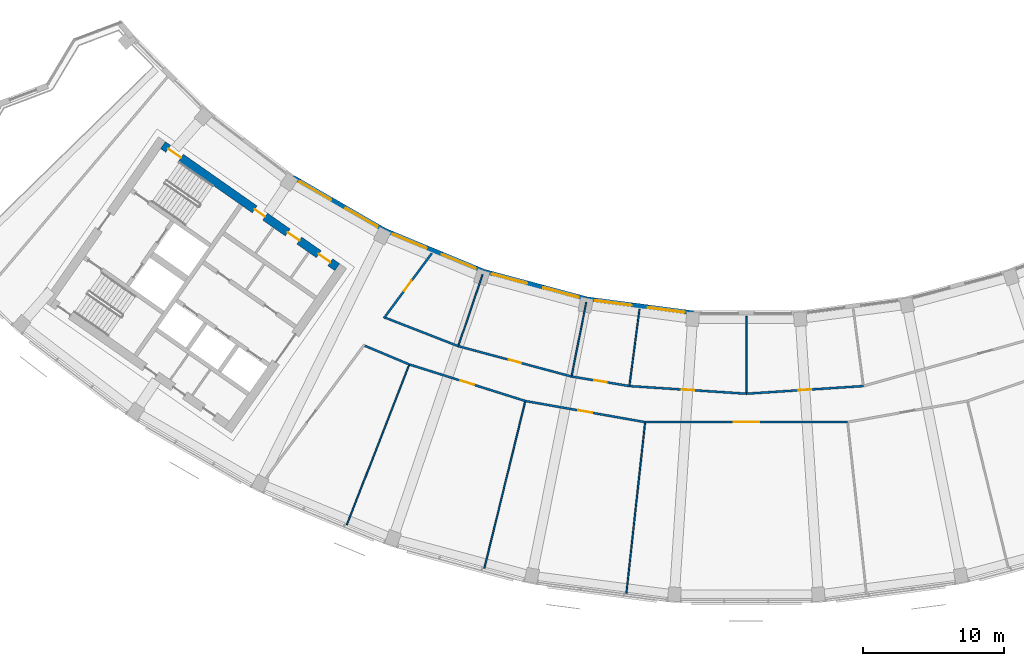
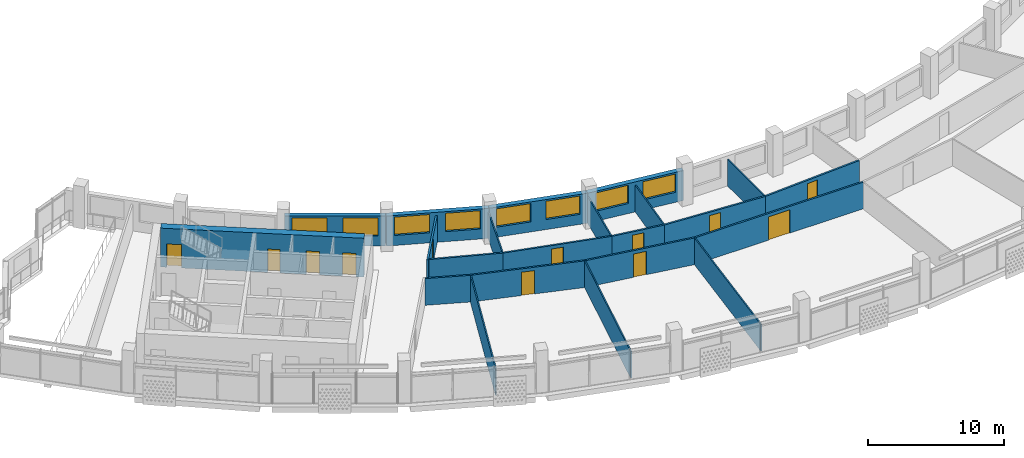
# One storey, part 4 of 29: 22 walls, 12 doors, 8 windows, 20 openings.
"""IFC4 building model written with IfcOpenShell, lengths in metres."""

from ifc_helpers import new_model, si_unit, direction, frame, frame_2d, origin, place, context, subcontext, project, spatial, rectangle, extrude, material, layer, layer_set, type_object, element, fill, save


model = new_model("IFC4")

# Units and contexts
model_context = context("Model", 3, precision=1e-05, world=origin(), true_north=direction((0.0, 1.0)))
body_context = subcontext(model_context, "Body", "Model", "MODEL_VIEW")
ifc_project = project(units=[si_unit("LENGTHUNIT", "METRE"), si_unit("AREAUNIT", "SQUARE_METRE"), si_unit("VOLUMEUNIT", "CUBIC_METRE"), si_unit("PLANEANGLEUNIT", "RADIAN"), si_unit("MASSUNIT", "GRAM", prefix="KILO")], contexts=[model_context])

# Site, building, storey
site_placement = place(None, origin())
site = spatial("IfcSite", under=ifc_project, at=site_placement, CompositionType="ELEMENT")
building_placement = place(site_placement, origin())
building = spatial("IfcBuilding", under=site, at=building_placement, Name="Qamariyya Broadcast Tower", CompositionType="ELEMENT")
storey_placement = place(building_placement, frame((0.0, 0.0, 261.89990234375)))
storey = spatial("IfcBuildingStorey", under=building, at=storey_placement, Name="L63", CompositionType="ELEMENT", Elevation=261.89990234375)

# Wall, openings, doors
ifc_material_1 = material(Name="Concrete C60/75", Category="concrete")
ifc_layer_1 = layer(ifc_material_1, 0.60009765625)
ifc_layer_set_1 = layer_set([ifc_layer_1], Name="Core wall 600 mm Concrete C60/75")
wall_type_1 = type_object("IfcWallType", Name="Core wall 600 mm Concrete C60/75", PredefinedType="SHEAR", material=ifc_layer_set_1)
wall_1_placement = place(storey_placement, frame((-28.940673828125, -54.447021484375, 0.0), z_axis=(0.0, 0.0, 1.0), x_axis=(-0.819153391756, 0.573574511963, 0.0)))
wall_1 = element("IfcWall", 1, at=wall_1_placement, inside=storey, type_object=wall_type_1, Name="k-W-L63-WI", PredefinedType="SHEAR", context=body_context, shape_type="SweptSolid", body=[
    extrude(rectangle(XDim=15.04541015625, YDim=0.60009765625, at=frame_2d((7.522705078125, 0.0))), origin(), (0.0, 0.0, 1.0), 3.5),
])
opening_1_placement = place(wall_1_placement, frame((0.60009765625, 0.0, 0.0)))
opening_1 = element("IfcOpeningElement", 2, at=opening_1_placement, cuts=wall_1, Name="Opening KD7-W1", PredefinedType="OPENING", context=body_context, shape_type="SweptSolid", body=[
    extrude(rectangle(XDim=1.0, YDim=2.10009765625, at=frame_2d((0.5, 1.050048828125))), frame((0.0, 0.31005859375, 0.0), z_axis=(0.0, -1.0, 0.0), x_axis=(1.0, 0.0, 0.0)), (0.0, 0.0, 1.0), 0.6201171875),
])
opening_2_placement = place(wall_1_placement, frame((3.27490234375, 0.0, 0.0)))
opening_2 = element("IfcOpeningElement", 3, at=opening_2_placement, cuts=wall_1, Name="Opening KD6-W3", PredefinedType="OPENING", context=body_context, shape_type="SweptSolid", body=[
    extrude(rectangle(XDim=1.0, YDim=2.10009765625, at=frame_2d((0.5, 1.050048828125))), frame((0.0, 0.31005859375, 0.0), z_axis=(0.0, -1.0, 0.0), x_axis=(1.0, 0.0, 0.0)), (0.0, 0.0, 1.0), 0.6201171875),
])
opening_3_placement = place(wall_1_placement, frame((6.22509765625, 0.0, 0.0)))
opening_3 = element("IfcOpeningElement", 4, at=opening_3_placement, cuts=wall_1, Name="Opening KD5-W1", PredefinedType="OPENING", context=body_context, shape_type="SweptSolid", body=[
    extrude(rectangle(XDim=0.89990234375, YDim=2.10009765625, at=frame_2d((0.449951171875, 1.050048828125))), frame((0.0, 0.31005859375, 0.0), z_axis=(0.0, -1.0, 0.0), x_axis=(1.0, 0.0, 0.0)), (0.0, 0.0, 1.0), 0.6201171875),
])
opening_4_placement = place(wall_1_placement, frame((13.495361328125, 0.0, 0.0)))
opening_4 = element("IfcOpeningElement", 5, at=opening_4_placement, cuts=wall_1, Name="Opening KD1-W1", PredefinedType="OPENING", context=body_context, shape_type="SweptSolid", body=[
    extrude(rectangle(XDim=1.10009765625, YDim=2.10009765625, at=frame_2d((0.550048828125, 1.050048828125))), frame((0.0, 0.31005859375, 0.0), z_axis=(0.0, -1.0, 0.0), x_axis=(1.0, 0.0, 0.0)), (0.0, 0.0, 1.0), 0.6201171875),
])
ifc_material_2 = material(Name="Steel fire-resisting door leaf", Category="steel")
door_type_1 = type_object("IfcDoorType", Name="Accessible toilet door KD7", OperationType="SINGLE_SWING_LEFT", PredefinedType="DOOR", material=ifc_material_2)
door_1_placement = place(opening_1_placement, origin())
door_1 = element("IfcDoor", 6, at=door_1_placement, inside=storey, type_object=door_type_1, Name="k-W-L63-WI-D7", OperationType="SINGLE_SWING_RIGHT", OverallHeight=2.10009765625, OverallWidth=1.0, PredefinedType="DOOR", context=body_context, shape_type="SweptSolid", body=[
    extrude(rectangle(XDim=1.0, YDim=2.10009765625, at=frame_2d((0.5, 1.050048828125))), frame((0.0, 0.02490234375, 0.0), z_axis=(0.0, -1.0, 0.0), x_axis=(1.0, 0.0, 0.0)), (0.0, 0.0, 1.0), 0.050048828125),
])
fill(opening_1, door_1)
door_type_2 = type_object("IfcDoorType", Name="Core room door KD6", OperationType="SINGLE_SWING_LEFT", PredefinedType="DOOR", material=ifc_material_2)
door_2_placement = place(opening_2_placement, origin())
door_2 = element("IfcDoor", 7, at=door_2_placement, inside=storey, type_object=door_type_2, Name="k-W-L63-WI-D8", OperationType="SINGLE_SWING_LEFT", OverallHeight=2.10009765625, OverallWidth=1.0, PredefinedType="DOOR", context=body_context, shape_type="SweptSolid", body=[
    extrude(rectangle(XDim=1.0, YDim=2.10009765625, at=frame_2d((0.5, 1.050048828125))), frame((0.0, 0.02490234375, 0.0), z_axis=(0.0, -1.0, 0.0), x_axis=(1.0, 0.0, 0.0)), (0.0, 0.0, 1.0), 0.050048828125),
])
fill(opening_2, door_2)
door_type_3 = type_object("IfcDoorType", Name="Stair door KD1", OperationType="SINGLE_SWING_LEFT", PredefinedType="DOOR", material=ifc_material_2)
door_3_placement = place(opening_4_placement, origin())
door_3 = element("IfcDoor", 8, at=door_3_placement, inside=storey, type_object=door_type_3, Name="k-W-L63-WI-D16", OperationType="SINGLE_SWING_RIGHT", OverallHeight=2.10009765625, OverallWidth=1.10009765625, PredefinedType="DOOR", context=body_context, shape_type="SweptSolid", body=[
    extrude(rectangle(XDim=1.10009765625, YDim=2.10009765625, at=frame_2d((0.550048828125, 1.050048828125))), frame((0.0, 0.02490234375, 0.0), z_axis=(0.0, -1.0, 0.0), x_axis=(1.0, 0.0, 0.0)), (0.0, 0.0, 1.0), 0.050048828125),
])
fill(opening_4, door_3)
door_type_4 = type_object("IfcDoorType", Name="Toilet door KD5", OperationType="SINGLE_SWING_LEFT", PredefinedType="DOOR", material=ifc_material_2)
door_4_placement = place(opening_3_placement, origin())
door_4 = element("IfcDoor", 9, at=door_4_placement, inside=storey, type_object=door_type_4, Name="k-W-L63-WI-D9", OperationType="SINGLE_SWING_RIGHT", OverallHeight=2.10009765625, OverallWidth=0.89990234375, PredefinedType="DOOR", context=body_context, shape_type="SweptSolid", body=[
    extrude(rectangle(XDim=0.89990234375, YDim=2.10009765625, at=frame_2d((0.449951171875, 1.050048828125))), frame((0.0, 0.02490234375, 0.0), z_axis=(0.0, -1.0, 0.0), x_axis=(1.0, 0.0, 0.0)), (0.0, 0.0, 1.0), 0.050048828125),
])
fill(opening_3, door_4)

# Walls
ifc_material_3 = material(Name="Gypsum board partition")
ifc_layer_2 = layer(ifc_material_3, 0.14990234375)
ifc_layer_set_2 = layer_set([ifc_layer_2], Name="Corridor partition 150 EI 60")
wall_type_2 = type_object("IfcWallType", Name="Corridor partition 150 EI 60", PredefinedType="PARTITIONING", material=ifc_layer_set_2)
wall_2_placement = place(storey_placement, frame((-26.98828125, -60.008544921875, 0.0), z_axis=(0.0, 0.0, 1.0), x_axis=(0.922124291828, -0.386893771494, 0.0)))
element("IfcWall", 10, at=wall_2_placement, inside=storey, type_object=wall_type_2, Name="Partition L63-004", PredefinedType="PARTITIONING", context=body_context, shape_type="SweptSolid", body=[
    extrude(rectangle(XDim=3.406982421875, YDim=0.14990234375, at=frame_2d((1.70361328125, 0.0))), origin(), (0.0, 0.0, 1.0), 2.400146484375),
])
wall_3_placement = place(storey_placement, frame((-25.5283203125, -58.02978515625, 0.0), z_axis=(0.0, 0.0, 1.0), x_axis=(0.931811353016, -0.362942974019, 0.0)))
element("IfcWall", 11, at=wall_3_placement, inside=storey, type_object=wall_type_2, Name="Partition L63-005", PredefinedType="PARTITIONING", context=body_context, shape_type="SweptSolid", body=[
    extrude(rectangle(XDim=5.52587890625, YDim=0.14990234375, at=frame_2d((2.762939453125, 0.0))), origin(), (0.0, 0.0, 1.0), 2.400146484375),
])

# Wall, opening, door
wall_4_placement = place(storey_placement, frame((-15.637939453125, -63.914794921875, 0.0), z_axis=(0.0, 0.0, 1.0), x_axis=(-0.953719319389, 0.300698287031, 0.0)))
wall_4 = element("IfcWall", 12, at=wall_4_placement, inside=storey, type_object=wall_type_2, Name="Partition L63-006", PredefinedType="PARTITIONING", context=body_context, shape_type="SweptSolid", body=[
    extrude(rectangle(XDim=8.607177734375, YDim=0.14990234375, at=frame_2d((4.3037109375, 0.0))), origin(), (0.0, 0.0, 1.0), 2.400146484375),
])
opening_5_placement = place(wall_4_placement, frame((3.803466796875, 0.0, 0.0)))
opening_5 = element("IfcOpeningElement", 13, at=opening_5_placement, cuts=wall_4, Name="Opening L63-D02", PredefinedType="OPENING", context=body_context, shape_type="SweptSolid", body=[
    extrude(rectangle(XDim=1.0, YDim=2.10009765625, at=frame_2d((0.5, 1.050048828125))), frame((0.0, 0.0849609375, 0.0), z_axis=(0.0, -1.0, 0.0), x_axis=(1.0, 0.0, 0.0)), (0.0, 0.0, 1.0), 0.169921875),
])
ifc_material_4 = material(Name="Timber fire door leaf", Category="wood")
door_type_5 = type_object("IfcDoorType", Name="Fire door 1000 x 2100 FD60", OperationType="NOTDEFINED", PredefinedType="DOOR", material=ifc_material_4)
door_5_placement = place(opening_5_placement, origin())
door_5 = element("IfcDoor", 14, at=door_5_placement, inside=storey, type_object=door_type_5, Name="Door L63-D02", OperationType="SINGLE_SWING_RIGHT", OverallHeight=2.10009765625, OverallWidth=1.0, PredefinedType="DOOR", context=body_context, shape_type="SweptSolid", body=[
    extrude(rectangle(XDim=1.0, YDim=2.10009765625, at=frame_2d((0.5, 1.050048828125))), frame((0.0, 0.02490234375, 0.0), z_axis=(0.0, -1.0, 0.0), x_axis=(1.0, 0.0, 0.0)), (0.0, 0.0, 1.0), 0.050048828125),
])
fill(opening_5, door_5)

wall_5_placement = place(storey_placement, frame((-22.251953125, -53.469482421875, 0.0), z_axis=(0.0, 0.0, 1.0), x_axis=(-0.593872728047, -0.804558999006, 0.0)))
wall_5 = element("IfcWall", 15, at=wall_5_placement, inside=storey, type_object=wall_type_2, Name="Partition L63-007", PredefinedType="PARTITIONING", context=body_context, shape_type="SweptSolid", body=[
    extrude(rectangle(XDim=5.709228515625, YDim=0.14990234375, at=frame_2d((2.8544921875, 0.0))), origin(), (0.0, 0.0, 1.0), 2.400146484375),
])
opening_6_placement = place(wall_5_placement, frame((2.404541015625, 0.0, 0.0)))
opening_6 = element("IfcOpeningElement", 16, at=opening_6_placement, cuts=wall_5, Name="Opening L63-D07", PredefinedType="OPENING", context=body_context, shape_type="SweptSolid", body=[
    extrude(rectangle(XDim=0.89990234375, YDim=2.10009765625, at=frame_2d((0.449951171875, 1.050048828125))), frame((0.0, 0.0849609375, 0.0), z_axis=(0.0, -1.0, 0.0), x_axis=(1.0, 0.0, 0.0)), (0.0, 0.0, 1.0), 0.169921875),
])
door_type_6 = type_object("IfcDoorType", Name="Fire door 900 x 2100 FD60", OperationType="NOTDEFINED", PredefinedType="DOOR", material=ifc_material_4)
door_6_placement = place(opening_6_placement, origin())
door_6 = element("IfcDoor", 17, at=door_6_placement, inside=storey, type_object=door_type_6, Name="Door L63-D07", OperationType="SINGLE_SWING_RIGHT", OverallHeight=2.10009765625, OverallWidth=0.89990234375, PredefinedType="DOOR", context=body_context, shape_type="SweptSolid", body=[
    extrude(rectangle(XDim=0.89990234375, YDim=2.10009765625, at=frame_2d((0.449951171875, 1.050048828125))), frame((0.0, 0.02490234375, 0.0), z_axis=(0.0, -1.0, 0.0), x_axis=(1.0, 0.0, 0.0)), (0.0, 0.0, 1.0), 0.050048828125),
])
fill(opening_6, door_6)

wall_6_placement = place(storey_placement, frame((-20.379150390625, -60.035400390625, 0.0), z_axis=(0.0, 0.0, 1.0), x_axis=(0.965923478141, -0.258827808351, 0.0)))
wall_6 = element("IfcWall", 18, at=wall_6_placement, inside=storey, type_object=wall_type_2, Name="Partition L63-008", PredefinedType="PARTITIONING", context=body_context, shape_type="SweptSolid", body=[
    extrude(rectangle(XDim=8.293212890625, YDim=0.14990234375, at=frame_2d((4.146484375, 0.0))), origin(), (0.0, 0.0, 1.0), 2.400146484375),
])
opening_7_placement = place(wall_6_placement, frame((3.696533203125, 0.0, 0.0)))
opening_7 = element("IfcOpeningElement", 19, at=opening_7_placement, cuts=wall_6, Name="Opening L63-D08", PredefinedType="OPENING", context=body_context, shape_type="SweptSolid", body=[
    extrude(rectangle(XDim=0.89990234375, YDim=2.10009765625, at=frame_2d((0.449951171875, 1.050048828125))), frame((0.0, 0.0849609375, 0.0), z_axis=(0.0, -1.0, 0.0), x_axis=(1.0, 0.0, 0.0)), (0.0, 0.0, 1.0), 0.169921875),
])
door_7_placement = place(opening_7_placement, origin())
door_7 = element("IfcDoor", 20, at=door_7_placement, inside=storey, type_object=door_type_6, Name="Door L63-D08", OperationType="SINGLE_SWING_RIGHT", OverallHeight=2.10009765625, OverallWidth=0.89990234375, PredefinedType="DOOR", context=body_context, shape_type="SweptSolid", body=[
    extrude(rectangle(XDim=0.89990234375, YDim=2.10009765625, at=frame_2d((0.449951171875, 1.050048828125))), frame((0.0, 0.02490234375, 0.0), z_axis=(0.0, -1.0, 0.0), x_axis=(1.0, 0.0, 0.0)), (0.0, 0.0, 1.0), 0.050048828125),
])
fill(opening_7, door_7)

wall_7_placement = place(storey_placement, frame((-7.16162109375, -65.4091796875, 0.0), z_axis=(0.0, 0.0, 1.0), x_axis=(-0.984812101115, 0.173623516545, 0.0)))
wall_7 = element("IfcWall", 21, at=wall_7_placement, inside=storey, type_object=wall_type_2, Name="Partition L63-011", PredefinedType="PARTITIONING", context=body_context, shape_type="SweptSolid", body=[
    extrude(rectangle(XDim=8.60693359375, YDim=0.14990234375, at=frame_2d((4.303466796875, 0.0))), origin(), (0.0, 0.0, 1.0), 2.400146484375),
])
opening_8_placement = place(wall_7_placement, frame((3.803466796875, 0.0, 0.0)))
opening_8 = element("IfcOpeningElement", 22, at=opening_8_placement, cuts=wall_7, Name="Opening L63-D03", PredefinedType="OPENING", context=body_context, shape_type="SweptSolid", body=[
    extrude(rectangle(XDim=1.0, YDim=2.10009765625, at=frame_2d((0.5, 1.050048828125))), frame((0.0, 0.0849609375, 0.0), z_axis=(0.0, -1.0, 0.0), x_axis=(1.0, 0.0, 0.0)), (0.0, 0.0, 1.0), 0.169921875),
])
door_8_placement = place(opening_8_placement, origin())
door_8 = element("IfcDoor", 23, at=door_8_placement, inside=storey, type_object=door_type_5, Name="Door L63-D03", OperationType="SINGLE_SWING_RIGHT", OverallHeight=2.10009765625, OverallWidth=1.0, PredefinedType="DOOR", context=body_context, shape_type="SweptSolid", body=[
    extrude(rectangle(XDim=1.0, YDim=2.10009765625, at=frame_2d((0.5, 1.050048828125))), frame((0.0, 0.02490234375, 0.0), z_axis=(0.0, -1.0, 0.0), x_axis=(1.0, 0.0, 0.0)), (0.0, 0.0, 1.0), 0.050048828125),
])
fill(opening_8, door_8)

wall_8_placement = place(storey_placement, frame((-12.36865234375, -62.181884765625, 0.0), z_axis=(0.0, 0.0, 1.0), x_axis=(0.986644067936, -0.162891016345, 0.0)))
wall_8 = element("IfcWall", 24, at=wall_8_placement, inside=storey, type_object=wall_type_2, Name="Partition L63-012", PredefinedType="PARTITIONING", context=body_context, shape_type="SweptSolid", body=[
    extrude(rectangle(XDim=4.148681640625, YDim=0.14990234375, at=frame_2d((2.07421875, 0.0))), origin(), (0.0, 0.0, 1.0), 2.400146484375),
])
opening_9_placement = place(wall_8_placement, frame((1.62451171875, 0.0, 0.0)))
opening_9 = element("IfcOpeningElement", 25, at=opening_9_placement, cuts=wall_8, Name="Opening L63-D09", PredefinedType="OPENING", context=body_context, shape_type="SweptSolid", body=[
    extrude(rectangle(XDim=0.89990234375, YDim=2.10009765625, at=frame_2d((0.449951171875, 1.050048828125))), frame((0.0, 0.0849609375, 0.0), z_axis=(0.0, -1.0, 0.0), x_axis=(1.0, 0.0, 0.0)), (0.0, 0.0, 1.0), 0.169921875),
])
door_9_placement = place(opening_9_placement, origin())
door_9 = element("IfcDoor", 26, at=door_9_placement, inside=storey, type_object=door_type_6, Name="Door L63-D09", OperationType="SINGLE_SWING_RIGHT", OverallHeight=2.10009765625, OverallWidth=0.89990234375, PredefinedType="DOOR", context=body_context, shape_type="SweptSolid", body=[
    extrude(rectangle(XDim=0.89990234375, YDim=2.10009765625, at=frame_2d((0.449951171875, 1.050048828125))), frame((0.0, 0.02490234375, 0.0), z_axis=(0.0, -1.0, 0.0), x_axis=(1.0, 0.0, 0.0)), (0.0, 0.0, 1.0), 0.050048828125),
])
fill(opening_9, door_9)

wall_9_placement = place(storey_placement, frame((-8.275390625, -62.857666015625, 0.0), z_axis=(0.0, 0.0, 1.0), x_axis=(0.997860193426, -0.065383747038, 0.0)))
wall_9 = element("IfcWall", 27, at=wall_9_placement, inside=storey, type_object=wall_type_2, Name="Partition L63-015", PredefinedType="PARTITIONING", context=body_context, shape_type="SweptSolid", body=[
    extrude(rectangle(XDim=8.293212890625, YDim=0.14990234375, at=frame_2d((4.146484375, 0.0))), origin(), (0.0, 0.0, 1.0), 2.400146484375),
])
opening_10_placement = place(wall_9_placement, frame((3.696533203125, 0.0, 0.0)))
opening_10 = element("IfcOpeningElement", 28, at=opening_10_placement, cuts=wall_9, Name="Opening L63-D10", PredefinedType="OPENING", context=body_context, shape_type="SweptSolid", body=[
    extrude(rectangle(XDim=0.89990234375, YDim=2.10009765625, at=frame_2d((0.449951171875, 1.050048828125))), frame((0.0, 0.0849609375, 0.0), z_axis=(0.0, -1.0, 0.0), x_axis=(1.0, 0.0, 0.0)), (0.0, 0.0, 1.0), 0.169921875),
])
door_10_placement = place(opening_10_placement, origin())
door_10 = element("IfcDoor", 29, at=door_10_placement, inside=storey, type_object=door_type_6, Name="Door L63-D10", OperationType="SINGLE_SWING_RIGHT", OverallHeight=2.10009765625, OverallWidth=0.89990234375, PredefinedType="DOOR", context=body_context, shape_type="SweptSolid", body=[
    extrude(rectangle(XDim=0.89990234375, YDim=2.10009765625, at=frame_2d((0.449951171875, 1.050048828125))), frame((0.0, 0.02490234375, 0.0), z_axis=(0.0, -1.0, 0.0), x_axis=(1.0, 0.0, 0.0)), (0.0, 0.0, 1.0), 0.050048828125),
])
fill(opening_10, door_10)

wall_10_placement = place(storey_placement, frame((7.16162109375, -65.4091796875, 0.0), z_axis=(0.0, 0.0, 1.0), x_axis=(-1.0, 0.0, 0.0)))
wall_10 = element("IfcWall", 30, at=wall_10_placement, inside=storey, type_object=wall_type_2, Name="Partition L63-017", PredefinedType="PARTITIONING", context=body_context, shape_type="SweptSolid", body=[
    extrude(rectangle(XDim=14.3232421875, YDim=0.14990234375, at=frame_2d((7.16162109375, 0.0))), origin(), (0.0, 0.0, 1.0), 2.400146484375),
])
opening_11_placement = place(wall_10_placement, frame((6.26171875, 0.0, 0.0)))
opening_11 = element("IfcOpeningElement", 31, at=opening_11_placement, cuts=wall_10, Name="Opening L63-D04", PredefinedType="OPENING", context=body_context, shape_type="SweptSolid", body=[
    extrude(rectangle(XDim=1.800048828125, YDim=2.10009765625, at=frame_2d((0.89990234375, 1.050048828125))), frame((0.0, 0.0849609375, 0.0), z_axis=(0.0, -1.0, 0.0), x_axis=(1.0, 0.0, 0.0)), (0.0, 0.0, 1.0), 0.169921875),
])
door_type_7 = type_object("IfcDoorType", Name="Double fire door 1800 x 2100 FD60", OperationType="NOTDEFINED", PredefinedType="DOOR", material=ifc_material_4)
door_11_placement = place(opening_11_placement, origin())
door_11 = element("IfcDoor", 32, at=door_11_placement, inside=storey, type_object=door_type_7, Name="Door L63-D04", OperationType="DOUBLE_DOOR_SINGLE_SWING", OverallHeight=2.10009765625, OverallWidth=1.800048828125, PredefinedType="DOOR", context=body_context, shape_type="SweptSolid", body=[
    extrude(rectangle(XDim=1.800048828125, YDim=2.10009765625, at=frame_2d((0.89990234375, 1.050048828125))), frame((0.0, 0.02490234375, 0.0), z_axis=(0.0, -1.0, 0.0), x_axis=(1.0, 0.0, 0.0)), (0.0, 0.0, 1.0), 0.050048828125),
])
fill(opening_11, door_11)

wall_11_placement = place(storey_placement, frame((0.0, -63.39990234375, 0.0), z_axis=(0.0, 0.0, 1.0), x_axis=(0.997860193426, 0.065383747038, 0.0)))
wall_11 = element("IfcWall", 33, at=wall_11_placement, inside=storey, type_object=wall_type_2, Name="Partition L63-018", PredefinedType="PARTITIONING", context=body_context, shape_type="SweptSolid", body=[
    extrude(rectangle(XDim=8.293212890625, YDim=0.14990234375, at=frame_2d((4.146484375, 0.0))), origin(), (0.0, 0.0, 1.0), 2.400146484375),
])
opening_12_placement = place(wall_11_placement, frame((3.696533203125, 0.0, 0.0)))
opening_12 = element("IfcOpeningElement", 34, at=opening_12_placement, cuts=wall_11, Name="Opening L63-D11", PredefinedType="OPENING", context=body_context, shape_type="SweptSolid", body=[
    extrude(rectangle(XDim=0.89990234375, YDim=2.10009765625, at=frame_2d((0.449951171875, 1.050048828125))), frame((0.0, 0.0849609375, 0.0), z_axis=(0.0, -1.0, 0.0), x_axis=(1.0, 0.0, 0.0)), (0.0, 0.0, 1.0), 0.169921875),
])
door_12_placement = place(opening_12_placement, origin())
door_12 = element("IfcDoor", 35, at=door_12_placement, inside=storey, type_object=door_type_6, Name="Door L63-D11", OperationType="SINGLE_SWING_RIGHT", OverallHeight=2.10009765625, OverallWidth=0.89990234375, PredefinedType="DOOR", context=body_context, shape_type="SweptSolid", body=[
    extrude(rectangle(XDim=0.89990234375, YDim=2.10009765625, at=frame_2d((0.449951171875, 1.050048828125))), frame((0.0, 0.02490234375, 0.0), z_axis=(0.0, -1.0, 0.0), x_axis=(1.0, 0.0, 0.0)), (0.0, 0.0, 1.0), 0.050048828125),
])
fill(opening_12, door_12)

# Walls
ifc_layer_3 = layer(ifc_material_3, 0.10009765625)
ifc_layer_set_3 = layer_set([ifc_layer_3], Name="Partition 100")
wall_type_3 = type_object("IfcWallType", Name="Partition 100", PredefinedType="PARTITIONING", material=ifc_layer_set_3)
wall_12_placement = place(storey_placement, frame((-28.2685546875, -72.6982421875, 0.0), z_axis=(0.0, 0.0, 1.0), x_axis=(0.362410311337, 0.932018651228, 0.0)))
element("IfcWall", 36, at=wall_12_placement, inside=storey, type_object=wall_type_3, Name="Partition L63-002", PredefinedType="PARTITIONING", context=body_context, shape_type="SweptSolid", body=[
    extrude(rectangle(XDim=12.125732421875, YDim=0.10009765625, at=frame_2d((6.06298828125, 0.0))), origin(), (0.0, 0.0, 1.0), 2.400146484375),
])
wall_13_placement = place(storey_placement, frame((-18.53759765625, -75.76611328125, 0.0), z_axis=(0.0, 0.0, 1.0), x_axis=(0.237657846319, 0.971348932198, 0.0)))
element("IfcWall", 37, at=wall_13_placement, inside=storey, type_object=wall_type_3, Name="Partition L63-009", PredefinedType="PARTITIONING", context=body_context, shape_type="SweptSolid", body=[
    extrude(rectangle(XDim=12.1259765625, YDim=0.10009765625, at=frame_2d((6.06298828125, 0.0))), origin(), (0.0, 0.0, 1.0), 2.400146484375),
])
wall_14_placement = place(storey_placement, frame((-18.65966796875, -54.96923828125, 0.0), z_axis=(0.0, 0.0, 1.0), x_axis=(-0.321429748592, -0.946933427818, 0.0)))
element("IfcWall", 38, at=wall_14_placement, inside=storey, type_object=wall_type_3, Name="Partition L63-010", PredefinedType="PARTITIONING", context=body_context, shape_type="SweptSolid", body=[
    extrude(rectangle(XDim=5.275146484375, YDim=0.10009765625, at=frame_2d((2.6376953125, 0.0))), origin(), (0.0, 0.0, 1.0), 2.400146484375),
])
wall_15_placement = place(storey_placement, frame((-11.324951171875, -56.9345703125, 0.0), z_axis=(0.0, 0.0, 1.0), x_axis=(-0.195083555743, -0.980786626274, 0.0)))
element("IfcWall", 39, at=wall_15_placement, inside=storey, type_object=wall_type_3, Name="Partition L63-013", PredefinedType="PARTITIONING", context=body_context, shape_type="SweptSolid", body=[
    extrude(rectangle(XDim=5.27490234375, YDim=0.10009765625, at=frame_2d((2.637451171875, 0.0))), origin(), (0.0, 0.0, 1.0), 2.400146484375),
])
wall_16_placement = place(storey_placement, frame((-8.489501953125, -77.53759765625, 0.0), z_axis=(0.0, 0.0, 1.0), x_axis=(0.108842544862, 0.994059002488, 0.0)))
element("IfcWall", 40, at=wall_16_placement, inside=storey, type_object=wall_type_3, Name="Partition L63-014", PredefinedType="PARTITIONING", context=body_context, shape_type="SweptSolid", body=[
    extrude(rectangle(XDim=12.1259765625, YDim=0.10009765625, at=frame_2d((6.06298828125, 0.0))), origin(), (0.0, 0.0, 1.0), 2.400146484375),
])
for number, where, z_axis, x_axis, name in (
    (41, (-7.56103515625, -57.430908203125, 0.0), (0.0, 0.0, 1.0), (-0.130516514475, -0.991446135425, 0.0), "Partition L63-016"),
    (42, (0.0, -57.926513671875, 0.0), (0.0, 0.0, 1.0), (0.0, -1.0, 0.0), "Partition L63-019"),
):
    element("IfcWall", number, at=place(storey_placement, frame(where, z_axis=z_axis, x_axis=x_axis)), inside=storey, type_object=wall_type_3, Name=name, PredefinedType="PARTITIONING", context=body_context, shape_type="SweptSolid", body=[
        extrude(rectangle(XDim=5.3984375, YDim=0.10009765625, at=frame_2d((2.69921875, 0.0))), origin(), (0.0, 0.0, 1.0), 2.400146484375),
    ])

# Wall, openings, windows
ifc_material_5 = material(Name="Terracotta", Category="masonry")
ifc_layer_4 = layer(ifc_material_5, 0.39990234375)
ifc_layer_set_4 = layer_set([ifc_layer_4], Name="Terracotta clad wall 400")
wall_type_4 = type_object("IfcWallType", Name="Terracotta clad wall 400", PredefinedType="SOLIDWALL", material=ifc_layer_set_4)
wall_17_placement = place(storey_placement, frame((-25.630615234375, -51.859130859375, 0.0), z_axis=(0.0, 0.0, 1.0), x_axis=(-0.866016763373, 0.500014965334, 0.0)))
wall_17 = element("IfcWall", 43, at=wall_17_placement, inside=storey, type_object=wall_type_4, Name="e-wl-L63-in30", PredefinedType="SOLIDWALL", context=body_context, shape_type="SweptSolid", body=[
    extrude(rectangle(XDim=7.465576171875, YDim=0.39990234375, at=frame_2d((3.73291015625, 0.0))), origin(), (0.0, 0.0, 1.0), 2.7001953125),
])
opening_13_placement = place(wall_17_placement, frame((4.318115234375, 0.0, 0.89990234375)))
opening_13 = element("IfcOpeningElement", 44, at=opening_13_placement, cuts=wall_17, Name="Opening W1", PredefinedType="OPENING", context=body_context, shape_type="SweptSolid", body=[
    extrude(rectangle(XDim=2.60009765625, YDim=1.64990234375, at=frame_2d((1.300048828125, 0.824951171875))), frame((0.0, 0.2099609375, 0.0), z_axis=(0.0, -1.0, 0.0), x_axis=(1.0, 0.0, 0.0)), (0.0, 0.0, 1.0), 0.419921875),
])
opening_14_placement = place(wall_17_placement, frame((0.547607421875, 0.0, 0.89990234375)))
opening_14 = element("IfcOpeningElement", 45, at=opening_14_placement, cuts=wall_17, Name="Opening W1", PredefinedType="OPENING", context=body_context, shape_type="SweptSolid", body=[
    extrude(rectangle(XDim=2.60009765625, YDim=1.64990234375, at=frame_2d((1.300048828125, 0.824951171875))), frame((0.0, 0.2099609375, 0.0), z_axis=(0.0, -1.0, 0.0), x_axis=(1.0, 0.0, 0.0)), (0.0, 0.0, 1.0), 0.419921875),
])
ifc_material_6 = material(Name="Clear low-e double glazed unit in aluminium frame", Category="aluminium")
window_type = type_object("IfcWindowType", Name="Ribbon window 2600 x 1650", PartitioningType="SINGLE_PANEL", PredefinedType="WINDOW", material=ifc_material_6)
window_1_placement = place(opening_13_placement, origin())
window_1 = element("IfcWindow", 46, at=window_1_placement, inside=storey, type_object=window_type, Name="e-w-L63-in03-0", OverallHeight=1.64990234375, OverallWidth=2.60009765625, PartitioningType="SINGLE_PANEL", PredefinedType="WINDOW", context=body_context, shape_type="SweptSolid", body=[
    extrude(rectangle(XDim=2.60009765625, YDim=1.64990234375, at=frame_2d((1.300048828125, 0.824951171875))), frame((0.0, 0.030029296875, 0.0), z_axis=(0.0, -1.0, 0.0), x_axis=(1.0, 0.0, 0.0)), (0.0, 0.0, 1.0), 0.06005859375),
])
fill(opening_13, window_1)
window_2_placement = place(opening_14_placement, origin())
window_2 = element("IfcWindow", 47, at=window_2_placement, inside=storey, type_object=window_type, Name="e-w-L63-in03-1", OverallHeight=1.64990234375, OverallWidth=2.60009765625, PartitioningType="SINGLE_PANEL", PredefinedType="WINDOW", context=body_context, shape_type="SweptSolid", body=[
    extrude(rectangle(XDim=2.60009765625, YDim=1.64990234375, at=frame_2d((1.300048828125, 0.824951171875))), frame((0.0, 0.030029296875, 0.0), z_axis=(0.0, -1.0, 0.0), x_axis=(1.0, 0.0, 0.0)), (0.0, 0.0, 1.0), 0.06005859375),
])
fill(opening_14, window_2)

wall_18_placement = place(storey_placement, frame((-18.572265625, -54.789794921875, 0.0), z_axis=(0.0, 0.0, 1.0), x_axis=(-0.923887531937, 0.382664119472, 0.0)))
wall_18 = element("IfcWall", 48, at=wall_18_placement, inside=storey, type_object=wall_type_4, Name="e-wl-L63-in40", PredefinedType="SOLIDWALL", context=body_context, shape_type="SweptSolid", body=[
    extrude(rectangle(XDim=7.6171875, YDim=0.39990234375, at=frame_2d((3.80859375, 0.0))), origin(), (0.0, 0.0, 1.0), 2.7001953125),
])
opening_15_placement = place(wall_18_placement, frame((4.393798828125, 0.0, 0.89990234375)))
opening_15 = element("IfcOpeningElement", 49, at=opening_15_placement, cuts=wall_18, Name="Opening W1", PredefinedType="OPENING", context=body_context, shape_type="SweptSolid", body=[
    extrude(rectangle(XDim=2.60009765625, YDim=1.64990234375, at=frame_2d((1.300048828125, 0.824951171875))), frame((0.0, 0.2099609375, 0.0), z_axis=(0.0, -1.0, 0.0), x_axis=(1.0, 0.0, 0.0)), (0.0, 0.0, 1.0), 0.419921875),
])
opening_16_placement = place(wall_18_placement, frame((0.623291015625, 0.0, 0.89990234375)))
opening_16 = element("IfcOpeningElement", 50, at=opening_16_placement, cuts=wall_18, Name="Opening W1", PredefinedType="OPENING", context=body_context, shape_type="SweptSolid", body=[
    extrude(rectangle(XDim=2.60009765625, YDim=1.64990234375, at=frame_2d((1.300048828125, 0.824951171875))), frame((0.0, 0.2099609375, 0.0), z_axis=(0.0, -1.0, 0.0), x_axis=(1.0, 0.0, 0.0)), (0.0, 0.0, 1.0), 0.419921875),
])
window_3_placement = place(opening_15_placement, origin())
window_3 = element("IfcWindow", 51, at=window_3_placement, inside=storey, type_object=window_type, Name="e-w-L63-in04-0", OverallHeight=1.64990234375, OverallWidth=2.60009765625, PartitioningType="SINGLE_PANEL", PredefinedType="WINDOW", context=body_context, shape_type="SweptSolid", body=[
    extrude(rectangle(XDim=2.60009765625, YDim=1.64990234375, at=frame_2d((1.300048828125, 0.824951171875))), frame((0.0, 0.030029296875, 0.0), z_axis=(0.0, -1.0, 0.0), x_axis=(1.0, 0.0, 0.0)), (0.0, 0.0, 1.0), 0.06005859375),
])
fill(opening_15, window_3)
window_4_placement = place(opening_16_placement, origin())
window_4 = element("IfcWindow", 52, at=window_4_placement, inside=storey, type_object=window_type, Name="e-w-L63-in04-1", OverallHeight=1.64990234375, OverallWidth=2.60009765625, PartitioningType="SINGLE_PANEL", PredefinedType="WINDOW", context=body_context, shape_type="SweptSolid", body=[
    extrude(rectangle(XDim=2.60009765625, YDim=1.64990234375, at=frame_2d((1.300048828125, 0.824951171875))), frame((0.0, 0.030029296875, 0.0), z_axis=(0.0, -1.0, 0.0), x_axis=(1.0, 0.0, 0.0)), (0.0, 0.0, 1.0), 0.06005859375),
])
fill(opening_16, window_4)

wall_19_placement = place(storey_placement, frame((-11.3349609375, -56.725830078125, 0.0), z_axis=(0.0, 0.0, 1.0), x_axis=(-0.965923236695, 0.258828709406, 0.0)))
wall_19 = element("IfcWall", 53, at=wall_19_placement, inside=storey, type_object=wall_type_4, Name="e-wl-L63-in50", PredefinedType="SOLIDWALL", context=body_context, shape_type="SweptSolid", body=[
    extrude(rectangle(XDim=7.4658203125, YDim=0.39990234375, at=frame_2d((3.73291015625, 0.0))), origin(), (0.0, 0.0, 1.0), 2.7001953125),
])
opening_17_placement = place(wall_19_placement, frame((4.318115234375, 0.0, 0.89990234375)))
opening_17 = element("IfcOpeningElement", 54, at=opening_17_placement, cuts=wall_19, Name="Opening W1", PredefinedType="OPENING", context=body_context, shape_type="SweptSolid", body=[
    extrude(rectangle(XDim=2.60009765625, YDim=1.64990234375, at=frame_2d((1.300048828125, 0.824951171875))), frame((0.0, 0.2099609375, 0.0), z_axis=(0.0, -1.0, 0.0), x_axis=(1.0, 0.0, 0.0)), (0.0, 0.0, 1.0), 0.419921875),
])
opening_18_placement = place(wall_19_placement, frame((0.547607421875, 0.0, 0.89990234375)))
opening_18 = element("IfcOpeningElement", 55, at=opening_18_placement, cuts=wall_19, Name="Opening W1", PredefinedType="OPENING", context=body_context, shape_type="SweptSolid", body=[
    extrude(rectangle(XDim=2.60009765625, YDim=1.64990234375, at=frame_2d((1.300048828125, 0.824951171875))), frame((0.0, 0.2099609375, 0.0), z_axis=(0.0, -1.0, 0.0), x_axis=(1.0, 0.0, 0.0)), (0.0, 0.0, 1.0), 0.419921875),
])
window_5_placement = place(opening_17_placement, origin())
window_5 = element("IfcWindow", 56, at=window_5_placement, inside=storey, type_object=window_type, Name="e-w-L63-in05-0", OverallHeight=1.64990234375, OverallWidth=2.60009765625, PartitioningType="SINGLE_PANEL", PredefinedType="WINDOW", context=body_context, shape_type="SweptSolid", body=[
    extrude(rectangle(XDim=2.60009765625, YDim=1.64990234375, at=frame_2d((1.300048828125, 0.824951171875))), frame((0.0, 0.030029296875, 0.0), z_axis=(0.0, -1.0, 0.0), x_axis=(1.0, 0.0, 0.0)), (0.0, 0.0, 1.0), 0.06005859375),
])
fill(opening_17, window_5)
window_6_placement = place(opening_18_placement, origin())
window_6 = element("IfcWindow", 57, at=window_6_placement, inside=storey, type_object=window_type, Name="e-w-L63-in05-1", OverallHeight=1.64990234375, OverallWidth=2.60009765625, PartitioningType="SINGLE_PANEL", PredefinedType="WINDOW", context=body_context, shape_type="SweptSolid", body=[
    extrude(rectangle(XDim=2.60009765625, YDim=1.64990234375, at=frame_2d((1.300048828125, 0.824951171875))), frame((0.0, 0.030029296875, 0.0), z_axis=(0.0, -1.0, 0.0), x_axis=(1.0, 0.0, 0.0)), (0.0, 0.0, 1.0), 0.06005859375),
])
fill(opening_18, window_6)

wall_20_placement = place(storey_placement, frame((-3.7587890625, -57.729736328125, 0.0), z_axis=(0.0, 0.0, 1.0), x_axis=(-0.991446548217, 0.130513378733, 0.0)))
wall_20 = element("IfcWall", 58, at=wall_20_placement, inside=storey, type_object=wall_type_4, Name="e-wl-L63-in60", PredefinedType="SOLIDWALL", context=body_context, shape_type="SweptSolid", body=[
    extrude(rectangle(XDim=7.6171875, YDim=0.39990234375, at=frame_2d((3.80859375, 0.0))), origin(), (0.0, 0.0, 1.0), 2.7001953125),
])
opening_19_placement = place(wall_20_placement, frame((4.393798828125, 0.0, 0.89990234375)))
opening_19 = element("IfcOpeningElement", 59, at=opening_19_placement, cuts=wall_20, Name="Opening W1", PredefinedType="OPENING", context=body_context, shape_type="SweptSolid", body=[
    extrude(rectangle(XDim=2.60009765625, YDim=1.64990234375, at=frame_2d((1.300048828125, 0.824951171875))), frame((0.0, 0.2099609375, 0.0), z_axis=(0.0, -1.0, 0.0), x_axis=(1.0, 0.0, 0.0)), (0.0, 0.0, 1.0), 0.419921875),
])
opening_20_placement = place(wall_20_placement, frame((0.623291015625, 0.0, 0.89990234375)))
opening_20 = element("IfcOpeningElement", 60, at=opening_20_placement, cuts=wall_20, Name="Opening W1", PredefinedType="OPENING", context=body_context, shape_type="SweptSolid", body=[
    extrude(rectangle(XDim=2.60009765625, YDim=1.64990234375, at=frame_2d((1.300048828125, 0.824951171875))), frame((0.0, 0.2099609375, 0.0), z_axis=(0.0, -1.0, 0.0), x_axis=(1.0, 0.0, 0.0)), (0.0, 0.0, 1.0), 0.419921875),
])
window_7_placement = place(opening_19_placement, origin())
window_7 = element("IfcWindow", 61, at=window_7_placement, inside=storey, type_object=window_type, Name="e-w-L63-in06-0", OverallHeight=1.64990234375, OverallWidth=2.60009765625, PartitioningType="SINGLE_PANEL", PredefinedType="WINDOW", context=body_context, shape_type="SweptSolid", body=[
    extrude(rectangle(XDim=2.60009765625, YDim=1.64990234375, at=frame_2d((1.300048828125, 0.824951171875))), frame((0.0, 0.030029296875, 0.0), z_axis=(0.0, -1.0, 0.0), x_axis=(1.0, 0.0, 0.0)), (0.0, 0.0, 1.0), 0.06005859375),
])
fill(opening_19, window_7)
window_8_placement = place(opening_20_placement, origin())
window_8 = element("IfcWindow", 62, at=window_8_placement, inside=storey, type_object=window_type, Name="e-w-L63-in06-1", OverallHeight=1.64990234375, OverallWidth=2.60009765625, PartitioningType="SINGLE_PANEL", PredefinedType="WINDOW", context=body_context, shape_type="SweptSolid", body=[
    extrude(rectangle(XDim=2.60009765625, YDim=1.64990234375, at=frame_2d((1.300048828125, 0.824951171875))), frame((0.0, 0.030029296875, 0.0), z_axis=(0.0, -1.0, 0.0), x_axis=(1.0, 0.0, 0.0)), (0.0, 0.0, 1.0), 0.06005859375),
])
fill(opening_20, window_8)

save(model, "model.ifc")
